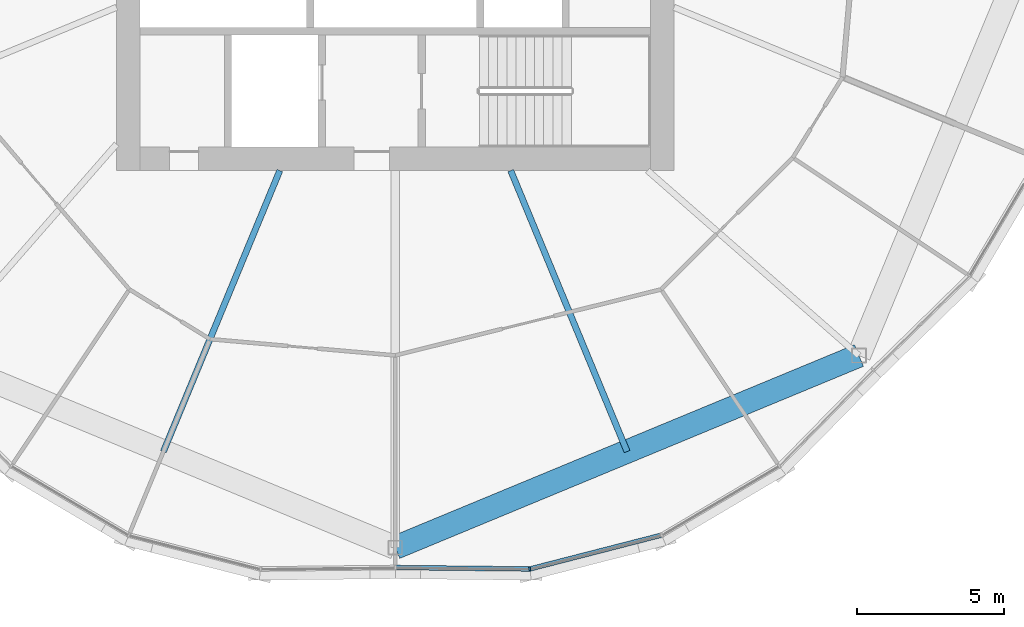
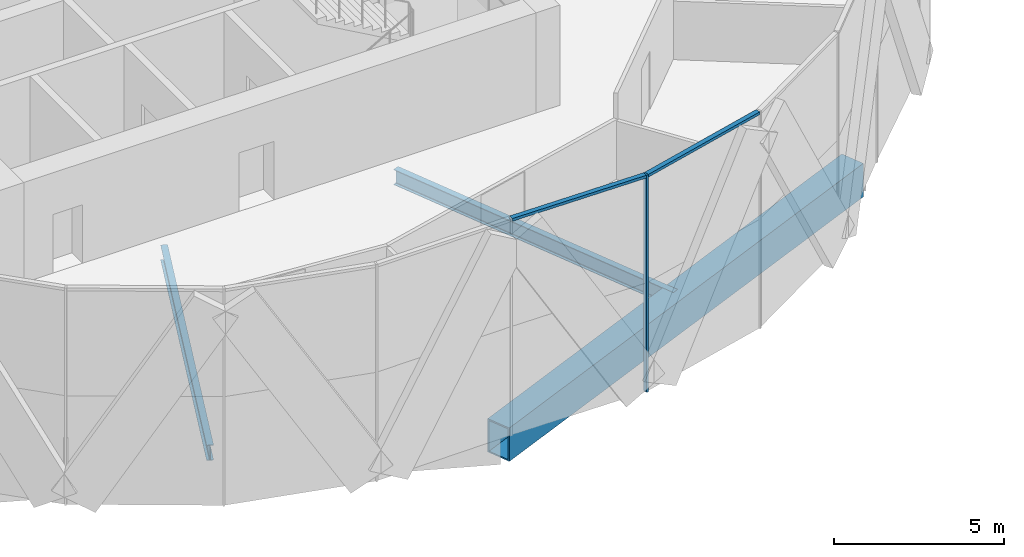
# One storey, part 4 of 27: 3 beams, 3 members, 1 element without a shape of its own.
"""IFC4 building model written with IfcOpenShell, lengths in metres."""

from ifc_helpers import new_model, si_unit, direction, frame, origin, origin_2d, place, context, subcontext, project, spatial, rectangle, hollow_rectangle, i_section, extrude, material, material_profile, profile_set, type_object, element, aggregate, save


model = new_model("IFC4")

# Units and contexts
model_context = context("Model", 3, precision=1e-05, world=origin(), true_north=direction((0.0, 1.0)))
body_context = subcontext(model_context, "Body", "Model", "MODEL_VIEW")
ifc_project = project(units=[si_unit("LENGTHUNIT", "METRE"), si_unit("AREAUNIT", "SQUARE_METRE"), si_unit("VOLUMEUNIT", "CUBIC_METRE"), si_unit("PLANEANGLEUNIT", "RADIAN"), si_unit("MASSUNIT", "GRAM", prefix="KILO")], contexts=[model_context])

# Site, building, storey
site_placement = place(None, origin())
site = spatial("IfcSite", under=ifc_project, at=site_placement, CompositionType="ELEMENT")
building_placement = place(site_placement, origin())
building = spatial("IfcBuilding", under=site, at=building_placement, Name="Ogive Gate Towers", CompositionType="ELEMENT")
storey_placement = place(building_placement, frame((0.0, 0.0, 123.0)))
storey = spatial("IfcBuildingStorey", under=building, at=storey_placement, Name="L29", CompositionType="ELEMENT", Elevation=123.0)

# Beams
ifc_material_1 = material(Name="Steel SM460", Category="steel")
ifc_material_profile_1 = material_profile(ifc_material_1, hollow_rectangle(XDim=0.800048828125, YDim=1.199951171875, WallThickness=0.050048828125, at=origin_2d()), Name="BX 1200x800x50")
ifc_profile_set_1 = profile_set([ifc_material_profile_1], Name="Steel SM460")
beam_type_1 = type_object("IfcBeamType", Name="Edge girder BX 1200x800x50", PredefinedType="BEAM", material=ifc_profile_set_1)
beam_placement = place(storey_placement, frame((-36.0, -22.35009765625, -0.89990234375), z_axis=(0.923880978344, 0.382679941797, 0.0), x_axis=(-0.382679941797, 0.923880978344, 0.0)))
element("IfcBeam", 1, at=beam_placement, inside=storey, type_object=beam_type_1, Name="T1/L29/SBM018", PredefinedType="BEAM", context=body_context, shape_type="SweptSolid", body=[
    extrude(hollow_rectangle(XDim=0.800048828125, YDim=1.199951171875, WallThickness=0.050048828125, at=origin_2d()), origin(), (0.0, 0.0, 1.0), 17.10595703125),
])
ifc_material_2 = material(Name="Steel SM355", Category="steel")
ifc_material_profile_2 = material_profile(ifc_material_2, i_section(OverallWidth=0.2099609375, OverallDepth=0.550048828125, WebThickness=0.010986328125, FlangeThickness=0.01708984375, FilletRadius=0.02392578125, at=origin_2d()), Name="IPE 550")
ifc_profile_set_2 = profile_set([ifc_material_profile_2], Name="Steel SM355")
beam_type_2 = type_object("IfcBeamType", Name="Radial floor beam IPE 550", PredefinedType="BEAM", material=ifc_profile_set_2)
for number, where, z_axis, x_axis, name in (
    (2, (-39.93505859375, -9.5, -0.574951171875), (-0.382676287498, -0.92388249198, 0.0), (0.92388249198, -0.382676287498, 0.0), "T1/L29/SBM002"),
    (3, (-32.06494140625, -9.5, -0.574951171875), (0.382676287498, -0.92388249198, 0.0), (0.92388249198, 0.382676287498, 0.0), "T1/L29/SBM004"),
):
    element("IfcBeam", number, at=place(storey_placement, frame(where, z_axis=z_axis, x_axis=x_axis)), inside=storey, type_object=beam_type_2, Name=name, PredefinedType="BEAM", context=body_context, shape_type="SweptSolid", body=[
        extrude(i_section(OverallWidth=0.2099609375, OverallDepth=0.550048828125, WebThickness=0.010986328125, FlangeThickness=0.01708984375, FilletRadius=0.02392578125, at=origin_2d()), origin(), (0.0, 0.0, 1.0), 10.365966796875),
    ])

# Curtain wall, members
ifc_material_3 = material(Name="Pale metal aluminium", Category="aluminium")
curtain_wall_type = type_object("IfcCurtainWallType", Name="Tower unitised wall, low zone", PredefinedType="NOTDEFINED", material=ifc_material_3)
curtain_wall_placement = place(storey_placement, origin())
curtain_wall = element("IfcCurtainWall", 4, at=curtain_wall_placement, inside=storey, type_object=curtain_wall_type, Name="CW1 T1 ECW07", PredefinedType="NOTDEFINED")
ifc_material_profile_3 = material_profile(ifc_material_3, rectangle(XDim=0.159912109375, YDim=0.06005859375, at=origin_2d()), Name="60 x 160 aluminium box")
ifc_profile_set_3 = profile_set([ifc_material_profile_3], Name="Pale metal aluminium")
member_type_1 = type_object("IfcMemberType", Name="Tower unitised wall, low zone mullion 60 x 160", PredefinedType="MULLION", material=ifc_profile_set_3)
member_1_placement = place(storey_placement, frame((-31.415283203125, -23.07958984375, -0.300048828125), z_axis=(0.0, 0.0, 1.0), x_axis=(0.12003287687, -0.992769917186, 0.0)))
member_1 = element("IfcMember", 5, at=member_1_placement, type_object=member_type_1, Name="CW1 mullion", PredefinedType="MULLION", context=body_context, shape_type="SweptSolid", body=[
    extrude(rectangle(XDim=0.159912109375, YDim=0.06005859375, at=origin_2d()), origin(), (0.0, 0.0, 1.0), 7.800048828125),
])
ifc_material_profile_4 = material_profile(ifc_material_3, rectangle(XDim=0.159912109375, YDim=0.10009765625, at=origin_2d()), Name="100 x 160 aluminium box")
ifc_profile_set_4 = profile_set([ifc_material_profile_4], Name="Pale metal aluminium")
member_type_2 = type_object("IfcMemberType", Name="Tower unitised wall, low zone transom 100 x 160", PredefinedType="USERDEFINED", material=ifc_profile_set_4)
member_2_placement = place(storey_placement, frame((-35.9697265625, -23.0302734375, 7.449951171875), z_axis=(0.999941249618, -0.010839617688, 0.0), x_axis=(0.010839617688, 0.999941249618, 0.0)))
member_2 = element("IfcMember", 6, at=member_2_placement, type_object=member_type_2, Name="CW1 transom", ObjectType="TRANSOM", PredefinedType="USERDEFINED", context=body_context, shape_type="SweptSolid", body=[
    extrude(rectangle(XDim=0.159912109375, YDim=0.10009765625, at=origin_2d()), origin(), (0.0, 0.0, 1.0), 4.527099609375),
])
member_3_placement = place(storey_placement, frame((-31.388916015625, -23.07275390625, 7.449951171875), z_axis=(0.968554137899, 0.248802897809, 0.0), x_axis=(-0.248802897809, 0.968554137899, 0.0)))
member_3 = element("IfcMember", 7, at=member_3_placement, type_object=member_type_2, Name="CW1 transom", ObjectType="TRANSOM", PredefinedType="USERDEFINED", context=body_context, shape_type="SweptSolid", body=[
    extrude(rectangle(XDim=0.159912109375, YDim=0.10009765625, at=origin_2d()), origin(), (0.0, 0.0, 1.0), 4.58837890625),
])
aggregate(curtain_wall, [member_1, member_2, member_3])

save(model, "model.ifc")
